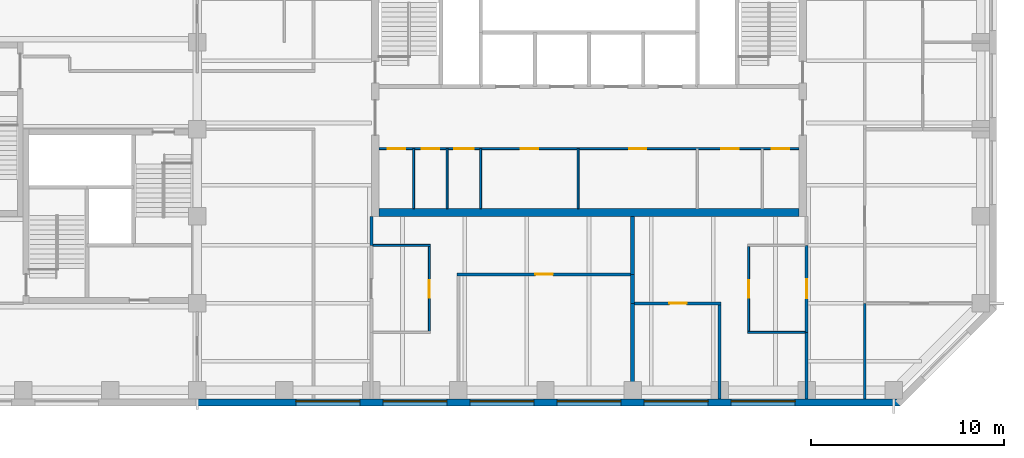
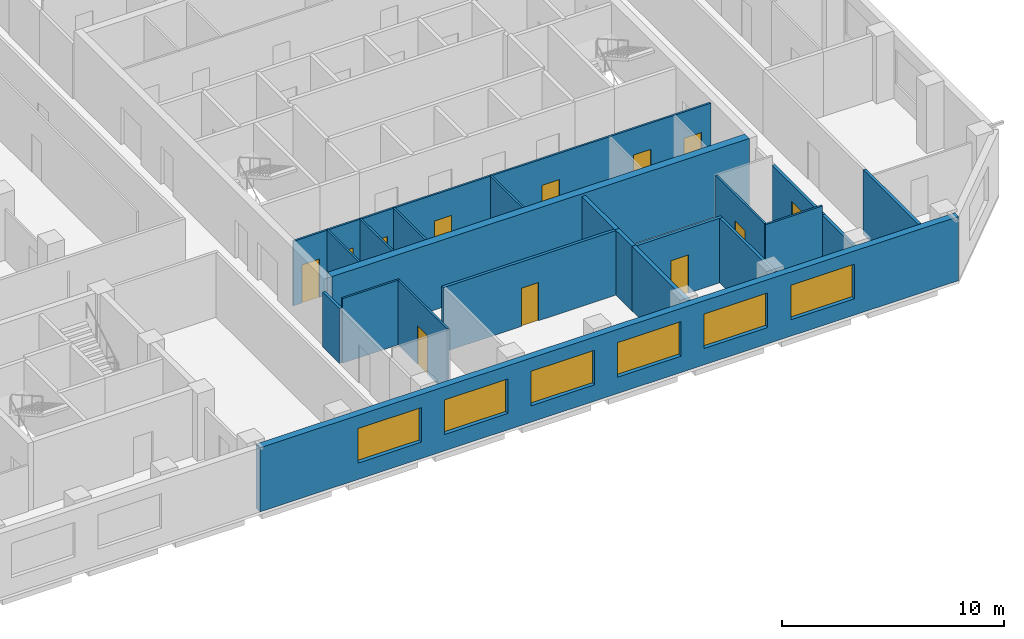
# One storey, part 4 of 9: 21 walls, 12 doors, 6 windows, 18 openings.
"""IFC4 building model written with IfcOpenShell, lengths in metres."""

from ifc_helpers import new_model, si_unit, direction, frame, frame_2d, origin, place, context, subcontext, project, spatial, rectangle, extrude, material, layer, layer_set, constituent, constituent_set, type_object, element, fill, save


model = new_model("IFC4")

# Units and contexts
model_context = context("Model", 3, precision=1e-05, world=origin(), true_north=direction((0.0, 1.0)))
body_context = subcontext(model_context, "Body", "Model", "MODEL_VIEW")
ifc_project = project(units=[si_unit("LENGTHUNIT", "METRE"), si_unit("AREAUNIT", "SQUARE_METRE"), si_unit("VOLUMEUNIT", "CUBIC_METRE"), si_unit("PLANEANGLEUNIT", "RADIAN"), si_unit("MASSUNIT", "GRAM", prefix="KILO")], contexts=[model_context])

# Site, building, storey
site_placement = place(None, origin())
site = spatial("IfcSite", under=ifc_project, at=site_placement, CompositionType="ELEMENT")
building_placement = place(site_placement, origin())
building = spatial("IfcBuilding", under=site, at=building_placement, Name="Quoin Convention Tower", CompositionType="ELEMENT")
storey_placement = place(building_placement, frame((0.0, 0.0, 215.60009765625)))
storey = spatial("IfcBuildingStorey", under=building, at=storey_placement, Name="L56", CompositionType="ELEMENT", Elevation=215.60009765625)

# Wall, opening, door
ifc_material_1 = material(Name="Plasterboard")
ifc_layer_1 = layer(ifc_material_1, 0.012451171875, Name="Finish")
ifc_material_2 = material(Name="Steel stud framing", Category="steel")
ifc_layer_2 = layer(ifc_material_2, 0.125, Name="Structure")
ifc_layer_3 = layer(ifc_material_1, 0.012451171875, Name="Finish")
ifc_layer_set_1 = layer_set([ifc_layer_1, ifc_layer_2, ifc_layer_3], Name="Steel stud framing")
wall_type_1 = type_object("IfcWallType", Name="Acoustic partition 150", PredefinedType="PARTITIONING", material=ifc_layer_set_1)
wall_1_placement = place(storey_placement, frame((58.60009765625, 45.0, 0.0), z_axis=(0.0, 0.0, 1.0), x_axis=(1.0, 0.0, 0.0)))
wall_1 = element("IfcWall", 1, at=wall_1_placement, inside=storey, type_object=wall_type_1, Name="pw-L56-005", PredefinedType="PARTITIONING", context=body_context, shape_type="SweptSolid", body=[
    extrude(rectangle(XDim=4.474853515625, YDim=0.14990234375, at=frame_2d((2.2373046875, 0.0))), origin(), (0.0, 0.0, 1.0), 3.5498046875),
])
opening_1_placement = place(wall_1_placement, frame((1.800048828125, 0.0, 0.0)))
opening_1 = element("IfcOpeningElement", 2, at=opening_1_placement, cuts=wall_1, Name="Opening DOH9-01", PredefinedType="OPENING", context=body_context, shape_type="SweptSolid", body=[
    extrude(rectangle(XDim=0.89990234375, YDim=2.10009765625, at=frame_2d((0.449951171875, 1.050048828125))), frame((0.0, 0.0849609375, 0.0), z_axis=(0.0, -1.0, 0.0), x_axis=(1.0, 0.0, 0.0)), (0.0, 0.0, 1.0), 0.169921875),
])
ifc_material_3 = material(Name="Steel door leaf", Category="steel")
door_type_1 = type_object("IfcDoorType", Name="Office door 900 x 2100", OperationType="SINGLE_SWING_RIGHT", PredefinedType="DOOR", material=ifc_material_3)
door_1_placement = place(opening_1_placement, origin())
door_1 = element("IfcDoor", 3, at=door_1_placement, inside=storey, type_object=door_type_1, Name="dr-L56-12", OperationType="SINGLE_SWING_RIGHT", OverallHeight=2.10009765625, OverallWidth=0.89990234375, PredefinedType="DOOR", context=body_context, shape_type="SweptSolid", body=[
    extrude(rectangle(XDim=0.89990234375, YDim=2.10009765625, at=frame_2d((0.449951171875, 1.050048828125))), frame((0.0, 0.02490234375, 0.0), z_axis=(0.0, -1.0, 0.0), x_axis=(1.0, 0.0, 0.0)), (0.0, 0.0, 1.0), 0.050048828125),
])
fill(opening_1, door_1)

wall_2_placement = place(storey_placement, frame((49.425048828125, 46.5, 0.0), z_axis=(0.0, 0.0, 1.0), x_axis=(1.0, 0.0, 0.0)))
wall_2 = element("IfcWall", 4, at=wall_2_placement, inside=storey, type_object=wall_type_1, Name="pw-L56-008", PredefinedType="PARTITIONING", context=body_context, shape_type="SweptSolid", body=[
    extrude(rectangle(XDim=8.974853515625, YDim=0.14990234375, at=frame_2d((4.4873046875, 0.0))), origin(), (0.0, 0.0, 1.0), 3.5498046875),
])
opening_2_placement = place(wall_2_placement, frame((4.050048828125, 0.0, 0.0)))
opening_2 = element("IfcOpeningElement", 5, at=opening_2_placement, cuts=wall_2, Name="Opening DOH9-03", PredefinedType="OPENING", context=body_context, shape_type="SweptSolid", body=[
    extrude(rectangle(XDim=0.89990234375, YDim=2.10009765625, at=frame_2d((0.449951171875, 1.050048828125))), frame((0.0, 0.0849609375, 0.0), z_axis=(0.0, -1.0, 0.0), x_axis=(1.0, 0.0, 0.0)), (0.0, 0.0, 1.0), 0.169921875),
])
door_2_placement = place(opening_2_placement, frame((0.89990234375, 0.0, 0.0), z_axis=(0.0, 0.0, 1.0), x_axis=(-1.0, 0.0, 0.0)))
door_2 = element("IfcDoor", 6, at=door_2_placement, inside=storey, type_object=door_type_1, Name="dr-L56-09", OperationType="SINGLE_SWING_RIGHT", OverallHeight=2.10009765625, OverallWidth=0.89990234375, PredefinedType="DOOR", context=body_context, shape_type="SweptSolid", body=[
    extrude(rectangle(XDim=0.89990234375, YDim=2.10009765625, at=frame_2d((0.449951171875, 1.050048828125))), frame((0.0, 0.02490234375, 0.0), z_axis=(0.0, -1.0, 0.0), x_axis=(1.0, 0.0, 0.0)), (0.0, 0.0, 1.0), 0.050048828125),
])
fill(opening_2, door_2)

# Wall
wall_3_placement = place(storey_placement, frame((63.0, 40.050048828125, 0.0), z_axis=(0.0, 0.0, 1.0), x_axis=(0.0, 1.0, 0.0)))
element("IfcWall", 7, at=wall_3_placement, inside=storey, type_object=wall_type_1, Name="pw-L56-030", PredefinedType="PARTITIONING", context=body_context, shape_type="SweptSolid", body=[
    extrude(rectangle(XDim=4.875, YDim=0.14990234375, at=frame_2d((2.4375, 0.0))), origin(), (0.0, 0.0, 1.0), 3.5498046875),
])

# Wall, openings, windows
ifc_material_4 = material(Name="Brick masonry", Category="masonry")
ifc_layer_4 = layer(ifc_material_4, 0.35009765625)
ifc_layer_set_2 = layer_set([ifc_layer_4], Name="Brick masonry")
wall_type_2 = type_object("IfcWallType", Name="Brick facade wall", PredefinedType="STANDARD", material=ifc_layer_set_2)
wall_4_placement = place(storey_placement, frame((36.0, 39.875, 0.0), z_axis=(0.0, 0.0, 1.0), x_axis=(1.0, 0.0, 0.0)))
wall_4 = element("IfcWall", 8, at=wall_4_placement, inside=storey, type_object=wall_type_2, Name="fw-L56-36000_40500", PredefinedType="STANDARD", context=body_context, shape_type="SweptSolid", body=[
    extrude(rectangle(XDim=36.331298828125, YDim=0.35009765625, at=frame_2d((18.16552734375, 0.0))), origin(), (0.0, 0.0, 1.0), 3.52490234375),
])
opening_3_placement = place(wall_4_placement, frame((5.10009765625, 0.0, 0.89990234375)))
opening_3 = element("IfcOpeningElement", 9, at=opening_3_placement, cuts=wall_4, Name="Opening W-02", PredefinedType="OPENING", context=body_context, shape_type="SweptSolid", body=[
    extrude(rectangle(XDim=3.300048828125, YDim=1.89990234375, at=frame_2d((1.64990234375, 0.949951171875))), frame((0.0, 0.18505859375, 0.0), z_axis=(0.0, -1.0, 0.0), x_axis=(1.0, 0.0, 0.0)), (0.0, 0.0, 1.0), 0.3701171875),
])
opening_4_placement = place(wall_4_placement, frame((9.60009765625, 0.0, 0.89990234375)))
opening_4 = element("IfcOpeningElement", 10, at=opening_4_placement, cuts=wall_4, Name="Opening W-02", PredefinedType="OPENING", context=body_context, shape_type="SweptSolid", body=[
    extrude(rectangle(XDim=3.300048828125, YDim=1.89990234375, at=frame_2d((1.64990234375, 0.949951171875))), frame((0.0, 0.18505859375, 0.0), z_axis=(0.0, -1.0, 0.0), x_axis=(1.0, 0.0, 0.0)), (0.0, 0.0, 1.0), 0.3701171875),
])
opening_5_placement = place(wall_4_placement, frame((14.10009765625, 0.0, 0.89990234375)))
opening_5 = element("IfcOpeningElement", 11, at=opening_5_placement, cuts=wall_4, Name="Opening W-02", PredefinedType="OPENING", context=body_context, shape_type="SweptSolid", body=[
    extrude(rectangle(XDim=3.300048828125, YDim=1.89990234375, at=frame_2d((1.64990234375, 0.949951171875))), frame((0.0, 0.18505859375, 0.0), z_axis=(0.0, -1.0, 0.0), x_axis=(1.0, 0.0, 0.0)), (0.0, 0.0, 1.0), 0.3701171875),
])
opening_6_placement = place(wall_4_placement, frame((18.60009765625, 0.0, 0.89990234375)))
opening_6 = element("IfcOpeningElement", 12, at=opening_6_placement, cuts=wall_4, Name="Opening W-02", PredefinedType="OPENING", context=body_context, shape_type="SweptSolid", body=[
    extrude(rectangle(XDim=3.300048828125, YDim=1.89990234375, at=frame_2d((1.64990234375, 0.949951171875))), frame((0.0, 0.18505859375, 0.0), z_axis=(0.0, -1.0, 0.0), x_axis=(1.0, 0.0, 0.0)), (0.0, 0.0, 1.0), 0.3701171875),
])
opening_7_placement = place(wall_4_placement, frame((23.10009765625, 0.0, 0.89990234375)))
opening_7 = element("IfcOpeningElement", 13, at=opening_7_placement, cuts=wall_4, Name="Opening W-02", PredefinedType="OPENING", context=body_context, shape_type="SweptSolid", body=[
    extrude(rectangle(XDim=3.300048828125, YDim=1.89990234375, at=frame_2d((1.64990234375, 0.949951171875))), frame((0.0, 0.18505859375, 0.0), z_axis=(0.0, -1.0, 0.0), x_axis=(1.0, 0.0, 0.0)), (0.0, 0.0, 1.0), 0.3701171875),
])
opening_8_placement = place(wall_4_placement, frame((27.60009765625, 0.0, 0.89990234375)))
opening_8 = element("IfcOpeningElement", 14, at=opening_8_placement, cuts=wall_4, Name="Opening W-02", PredefinedType="OPENING", context=body_context, shape_type="SweptSolid", body=[
    extrude(rectangle(XDim=3.300048828125, YDim=1.89990234375, at=frame_2d((1.64990234375, 0.949951171875))), frame((0.0, 0.18505859375, 0.0), z_axis=(0.0, -1.0, 0.0), x_axis=(1.0, 0.0, 0.0)), (0.0, 0.0, 1.0), 0.3701171875),
])
ifc_material_5 = material(Name="Aluminium", Category="aluminium")
ifc_constituent_1 = constituent(ifc_material_5, Name="Frame")
ifc_material_6 = material(Name="Insulated glass", Category="glass")
ifc_constituent_2 = constituent(ifc_material_6, Name="Glazing")
ifc_constituent_set = constituent_set(constituents=[ifc_constituent_1, ifc_constituent_2], Name="Aluminium")
window_type = type_object("IfcWindowType", Name="Office window", PartitioningType="DOUBLE_PANEL_VERTICAL", PredefinedType="WINDOW", material=ifc_constituent_set)
window_1_placement = place(opening_3_placement, origin())
window_1 = element("IfcWindow", 15, at=window_1_placement, inside=storey, type_object=window_type, Name="win-L56-42750_39875", OverallHeight=1.89990234375, OverallWidth=3.300048828125, PartitioningType="SINGLE_PANEL", PredefinedType="WINDOW", context=body_context, shape_type="SweptSolid", body=[
    extrude(rectangle(XDim=3.300048828125, YDim=1.89990234375, at=frame_2d((1.64990234375, 0.949951171875))), frame((0.0, 0.0849609375, 0.0), z_axis=(0.0, -1.0, 0.0), x_axis=(1.0, 0.0, 0.0)), (0.0, 0.0, 1.0), 0.06005859375),
])
fill(opening_3, window_1)
window_2_placement = place(opening_4_placement, origin())
window_2 = element("IfcWindow", 16, at=window_2_placement, inside=storey, type_object=window_type, Name="win-L56-47250_39875", OverallHeight=1.89990234375, OverallWidth=3.300048828125, PartitioningType="SINGLE_PANEL", PredefinedType="WINDOW", context=body_context, shape_type="SweptSolid", body=[
    extrude(rectangle(XDim=3.300048828125, YDim=1.89990234375, at=frame_2d((1.64990234375, 0.949951171875))), frame((0.0, 0.0849609375, 0.0), z_axis=(0.0, -1.0, 0.0), x_axis=(1.0, 0.0, 0.0)), (0.0, 0.0, 1.0), 0.06005859375),
])
fill(opening_4, window_2)
window_3_placement = place(opening_5_placement, origin())
window_3 = element("IfcWindow", 17, at=window_3_placement, inside=storey, type_object=window_type, Name="win-L56-51750_39875", OverallHeight=1.89990234375, OverallWidth=3.300048828125, PartitioningType="SINGLE_PANEL", PredefinedType="WINDOW", context=body_context, shape_type="SweptSolid", body=[
    extrude(rectangle(XDim=3.300048828125, YDim=1.89990234375, at=frame_2d((1.64990234375, 0.949951171875))), frame((0.0, 0.0849609375, 0.0), z_axis=(0.0, -1.0, 0.0), x_axis=(1.0, 0.0, 0.0)), (0.0, 0.0, 1.0), 0.06005859375),
])
fill(opening_5, window_3)
window_4_placement = place(opening_6_placement, origin())
window_4 = element("IfcWindow", 18, at=window_4_placement, inside=storey, type_object=window_type, Name="win-L56-56250_39875", OverallHeight=1.89990234375, OverallWidth=3.300048828125, PartitioningType="SINGLE_PANEL", PredefinedType="WINDOW", context=body_context, shape_type="SweptSolid", body=[
    extrude(rectangle(XDim=3.300048828125, YDim=1.89990234375, at=frame_2d((1.64990234375, 0.949951171875))), frame((0.0, 0.0849609375, 0.0), z_axis=(0.0, -1.0, 0.0), x_axis=(1.0, 0.0, 0.0)), (0.0, 0.0, 1.0), 0.06005859375),
])
fill(opening_6, window_4)
window_5_placement = place(opening_7_placement, origin())
window_5 = element("IfcWindow", 19, at=window_5_placement, inside=storey, type_object=window_type, Name="win-L56-60750_39875", OverallHeight=1.89990234375, OverallWidth=3.300048828125, PartitioningType="SINGLE_PANEL", PredefinedType="WINDOW", context=body_context, shape_type="SweptSolid", body=[
    extrude(rectangle(XDim=3.300048828125, YDim=1.89990234375, at=frame_2d((1.64990234375, 0.949951171875))), frame((0.0, 0.0849609375, 0.0), z_axis=(0.0, -1.0, 0.0), x_axis=(1.0, 0.0, 0.0)), (0.0, 0.0, 1.0), 0.06005859375),
])
fill(opening_7, window_5)
window_6_placement = place(opening_8_placement, origin())
window_6 = element("IfcWindow", 20, at=window_6_placement, inside=storey, type_object=window_type, Name="win-L56-65250_39875", OverallHeight=1.89990234375, OverallWidth=3.300048828125, PartitioningType="SINGLE_PANEL", PredefinedType="WINDOW", context=body_context, shape_type="SweptSolid", body=[
    extrude(rectangle(XDim=3.300048828125, YDim=1.89990234375, at=frame_2d((1.64990234375, 0.949951171875))), frame((0.0, 0.0849609375, 0.0), z_axis=(0.0, -1.0, 0.0), x_axis=(1.0, 0.0, 0.0)), (0.0, 0.0, 1.0), 0.06005859375),
])
fill(opening_8, window_6)

# Wall, openings, doors
ifc_layer_5 = layer(ifc_material_1, 0.012451171875, Name="Finish")
ifc_layer_6 = layer(ifc_material_2, 0.074951171875, Name="Structure")
ifc_layer_7 = layer(ifc_material_1, 0.012451171875, Name="Finish")
ifc_layer_set_3 = layer_set([ifc_layer_5, ifc_layer_6, ifc_layer_7], Name="Steel stud framing")
wall_type_3 = type_object("IfcWallType", Name="Core partition wall", PredefinedType="PARTITIONING", material=ifc_layer_set_3)
wall_5_placement = place(storey_placement, frame((45.39990234375, 53.0, 0.0), z_axis=(0.0, 0.0, 1.0), x_axis=(1.0, 0.0, 0.0)))
wall_5 = element("IfcWall", 21, at=wall_5_placement, inside=storey, type_object=wall_type_3, Name="cr-C1-L56-h3500_400", PredefinedType="PARTITIONING", context=body_context, shape_type="SweptSolid", body=[
    extrude(rectangle(XDim=21.7001953125, YDim=0.10009765625, at=frame_2d((10.85009765625, 0.0))), origin(), (0.0, 0.0, 1.0), 3.5498046875),
])
opening_9_placement = place(wall_5_placement, frame((20.304931640625, 0.0, 0.0)))
opening_9 = element("IfcOpeningElement", 22, at=opening_9_placement, cuts=wall_5, Name="Opening DCV1-36", PredefinedType="OPENING", context=body_context, shape_type="SweptSolid", body=[
    extrude(rectangle(XDim=0.89990234375, YDim=2.10009765625, at=frame_2d((0.449951171875, 1.050048828125))), frame((0.0, 0.06005859375, 0.0), z_axis=(0.0, -1.0, 0.0), x_axis=(1.0, 0.0, 0.0)), (0.0, 0.0, 1.0), 0.1201171875),
])
opening_10_placement = place(wall_5_placement, frame((17.679931640625, 0.0, 0.0)))
opening_10 = element("IfcOpeningElement", 23, at=opening_10_placement, cuts=wall_5, Name="Opening DCV1-35", PredefinedType="OPENING", context=body_context, shape_type="SweptSolid", body=[
    extrude(rectangle(XDim=0.89990234375, YDim=2.10009765625, at=frame_2d((0.449951171875, 1.050048828125))), frame((0.0, 0.06005859375, 0.0), z_axis=(0.0, -1.0, 0.0), x_axis=(1.0, 0.0, 0.0)), (0.0, 0.0, 1.0), 0.1201171875),
])
opening_11_placement = place(wall_5_placement, frame((0.4423828125, 0.0, 0.0)))
opening_11 = element("IfcOpeningElement", 24, at=opening_11_placement, cuts=wall_5, Name="Opening DCV1-27", PredefinedType="OPENING", context=body_context, shape_type="SweptSolid", body=[
    extrude(rectangle(XDim=0.89990234375, YDim=2.10009765625, at=frame_2d((0.449951171875, 1.050048828125))), frame((0.0, 0.06005859375, 0.0), z_axis=(0.0, -1.0, 0.0), x_axis=(1.0, 0.0, 0.0)), (0.0, 0.0, 1.0), 0.1201171875),
])
opening_12_placement = place(wall_5_placement, frame((2.201416015625, 0.0, 0.0)))
opening_12 = element("IfcOpeningElement", 25, at=opening_12_placement, cuts=wall_5, Name="Opening DCV1-28", PredefinedType="OPENING", context=body_context, shape_type="SweptSolid", body=[
    extrude(rectangle(XDim=0.89990234375, YDim=2.10009765625, at=frame_2d((0.449951171875, 1.050048828125))), frame((0.0, 0.06005859375, 0.0), z_axis=(0.0, -1.0, 0.0), x_axis=(1.0, 0.0, 0.0)), (0.0, 0.0, 1.0), 0.1201171875),
])
opening_13_placement = place(wall_5_placement, frame((3.8837890625, 0.0, 0.0)))
opening_13 = element("IfcOpeningElement", 26, at=opening_13_placement, cuts=wall_5, Name="Opening DCV1-29", PredefinedType="OPENING", context=body_context, shape_type="SweptSolid", body=[
    extrude(rectangle(XDim=1.0, YDim=2.10009765625, at=frame_2d((0.5, 1.050048828125))), frame((0.0, 0.06005859375, 0.0), z_axis=(0.0, -1.0, 0.0), x_axis=(1.0, 0.0, 0.0)), (0.0, 0.0, 1.0), 0.1201171875),
])
opening_14_placement = place(wall_5_placement, frame((7.320068359375, 0.0, 0.0)))
opening_14 = element("IfcOpeningElement", 27, at=opening_14_placement, cuts=wall_5, Name="Opening DCV1-31", PredefinedType="OPENING", context=body_context, shape_type="SweptSolid", body=[
    extrude(rectangle(XDim=0.89990234375, YDim=2.10009765625, at=frame_2d((0.449951171875, 1.050048828125))), frame((0.0, 0.06005859375, 0.0), z_axis=(0.0, -1.0, 0.0), x_axis=(1.0, 0.0, 0.0)), (0.0, 0.0, 1.0), 0.1201171875),
])
opening_15_placement = place(wall_5_placement, frame((12.919921875, 0.0, 0.0)))
opening_15 = element("IfcOpeningElement", 28, at=opening_15_placement, cuts=wall_5, Name="Opening DCV1-33", PredefinedType="OPENING", context=body_context, shape_type="SweptSolid", body=[
    extrude(rectangle(XDim=0.89990234375, YDim=2.10009765625, at=frame_2d((0.449951171875, 1.050048828125))), frame((0.0, 0.06005859375, 0.0), z_axis=(0.0, -1.0, 0.0), x_axis=(1.0, 0.0, 0.0)), (0.0, 0.0, 1.0), 0.1201171875),
])
door_type_2 = type_object("IfcDoorType", Name="Core room door 1000 x 2100", OperationType="SINGLE_SWING_LEFT", PredefinedType="DOOR", material=ifc_material_3)
door_3_placement = place(opening_13_placement, frame((1.0, 0.0, 0.0), z_axis=(0.0, 0.0, 1.0), x_axis=(-1.0, 0.0, 0.0)))
door_3 = element("IfcDoor", 29, at=door_3_placement, inside=storey, type_object=door_type_2, Name="cd-C1-L56-CSW2-lobA-CD5614", OperationType="SINGLE_SWING_LEFT", OverallHeight=2.10009765625, OverallWidth=1.0, PredefinedType="DOOR", context=body_context, shape_type="SweptSolid", body=[
    extrude(rectangle(XDim=1.0, YDim=2.10009765625, at=frame_2d((0.5, 1.050048828125))), frame((0.0, 0.02490234375, 0.0), z_axis=(0.0, -1.0, 0.0), x_axis=(1.0, 0.0, 0.0)), (0.0, 0.0, 1.0), 0.050048828125),
])
fill(opening_13, door_3)
door_type_3 = type_object("IfcDoorType", Name="Core room door 900 x 2100", OperationType="SINGLE_SWING_LEFT", PredefinedType="DOOR", material=ifc_material_3)
door_4_placement = place(opening_9_placement, frame((0.89990234375, 0.0, 0.0), z_axis=(0.0, 0.0, 1.0), x_axis=(-1.0, 0.0, 0.0)))
door_4 = element("IfcDoor", 30, at=door_4_placement, inside=storey, type_object=door_type_3, Name="cd-C1-L56-CSE0-lobA-CD5610", OperationType="SINGLE_SWING_LEFT", OverallHeight=2.10009765625, OverallWidth=0.89990234375, PredefinedType="DOOR", context=body_context, shape_type="SweptSolid", body=[
    extrude(rectangle(XDim=0.89990234375, YDim=2.10009765625, at=frame_2d((0.449951171875, 1.050048828125))), frame((0.0, 0.02490234375, 0.0), z_axis=(0.0, -1.0, 0.0), x_axis=(1.0, 0.0, 0.0)), (0.0, 0.0, 1.0), 0.050048828125),
])
fill(opening_9, door_4)
door_5_placement = place(opening_10_placement, frame((0.89990234375, 0.0, 0.0), z_axis=(0.0, 0.0, 1.0), x_axis=(-1.0, 0.0, 0.0)))
door_5 = element("IfcDoor", 31, at=door_5_placement, inside=storey, type_object=door_type_3, Name="cd-C1-L56-CSE1-lobA-CD5611", OperationType="SINGLE_SWING_LEFT", OverallHeight=2.10009765625, OverallWidth=0.89990234375, PredefinedType="DOOR", context=body_context, shape_type="SweptSolid", body=[
    extrude(rectangle(XDim=0.89990234375, YDim=2.10009765625, at=frame_2d((0.449951171875, 1.050048828125))), frame((0.0, 0.02490234375, 0.0), z_axis=(0.0, -1.0, 0.0), x_axis=(1.0, 0.0, 0.0)), (0.0, 0.0, 1.0), 0.050048828125),
])
fill(opening_10, door_5)
door_6_placement = place(opening_11_placement, frame((0.89990234375, 0.0, 0.0), z_axis=(0.0, 0.0, 1.0), x_axis=(-1.0, 0.0, 0.0)))
door_6 = element("IfcDoor", 32, at=door_6_placement, inside=storey, type_object=door_type_3, Name="cd-C1-L56-CSW0-lobA-CD5612", OperationType="SINGLE_SWING_LEFT", OverallHeight=2.10009765625, OverallWidth=0.89990234375, PredefinedType="DOOR", context=body_context, shape_type="SweptSolid", body=[
    extrude(rectangle(XDim=0.89990234375, YDim=2.10009765625, at=frame_2d((0.449951171875, 1.050048828125))), frame((0.0, 0.02490234375, 0.0), z_axis=(0.0, -1.0, 0.0), x_axis=(1.0, 0.0, 0.0)), (0.0, 0.0, 1.0), 0.050048828125),
])
fill(opening_11, door_6)
door_7_placement = place(opening_12_placement, frame((0.89990234375, 0.0, 0.0), z_axis=(0.0, 0.0, 1.0), x_axis=(-1.0, 0.0, 0.0)))
door_7 = element("IfcDoor", 33, at=door_7_placement, inside=storey, type_object=door_type_3, Name="cd-C1-L56-CSW1-lobA-CD5613", OperationType="SINGLE_SWING_LEFT", OverallHeight=2.10009765625, OverallWidth=0.89990234375, PredefinedType="DOOR", context=body_context, shape_type="SweptSolid", body=[
    extrude(rectangle(XDim=0.89990234375, YDim=2.10009765625, at=frame_2d((0.449951171875, 1.050048828125))), frame((0.0, 0.02490234375, 0.0), z_axis=(0.0, -1.0, 0.0), x_axis=(1.0, 0.0, 0.0)), (0.0, 0.0, 1.0), 0.050048828125),
])
fill(opening_12, door_7)
door_8_placement = place(opening_14_placement, frame((0.89990234375, 0.0, 0.0), z_axis=(0.0, 0.0, 1.0), x_axis=(-1.0, 0.0, 0.0)))
door_8 = element("IfcDoor", 34, at=door_8_placement, inside=storey, type_object=door_type_3, Name="cd-C1-L56-F10-lobA-CD5615", OperationType="SINGLE_SWING_LEFT", OverallHeight=2.10009765625, OverallWidth=0.89990234375, PredefinedType="DOOR", context=body_context, shape_type="SweptSolid", body=[
    extrude(rectangle(XDim=0.89990234375, YDim=2.10009765625, at=frame_2d((0.449951171875, 1.050048828125))), frame((0.0, 0.02490234375, 0.0), z_axis=(0.0, -1.0, 0.0), x_axis=(1.0, 0.0, 0.0)), (0.0, 0.0, 1.0), 0.050048828125),
])
fill(opening_14, door_8)
door_9_placement = place(opening_15_placement, frame((0.89990234375, 0.0, 0.0), z_axis=(0.0, 0.0, 1.0), x_axis=(-1.0, 0.0, 0.0)))
door_9 = element("IfcDoor", 35, at=door_9_placement, inside=storey, type_object=door_type_3, Name="cd-C1-L56-F11-lobA-CD5616", OperationType="SINGLE_SWING_LEFT", OverallHeight=2.10009765625, OverallWidth=0.89990234375, PredefinedType="DOOR", context=body_context, shape_type="SweptSolid", body=[
    extrude(rectangle(XDim=0.89990234375, YDim=2.10009765625, at=frame_2d((0.449951171875, 1.050048828125))), frame((0.0, 0.02490234375, 0.0), z_axis=(0.0, -1.0, 0.0), x_axis=(1.0, 0.0, 0.0)), (0.0, 0.0, 1.0), 0.050048828125),
])
fill(opening_15, door_9)

# Walls
for number, where, z_axis, x_axis, name in (
    (36, (47.18505859375, 49.89990234375, 0.0), (0.0, 0.0, 1.0), (0.0, 1.0, 0.0), "cr-C1-L56-v2185_400"),
    (37, (48.91748046875, 49.89990234375, 0.0), (0.0, 0.0, 1.0), (0.0, 1.0, 0.0), "cr-C1-L56-v3918_400"),
    (38, (50.64990234375, 49.89990234375, 0.0), (0.0, 0.0, 1.0), (0.0, 1.0, 0.0), "cr-C1-L56-v5650_400"),
    (39, (55.68994140625, 49.89990234375, 0.0), (0.0, 0.0, 1.0), (0.0, 1.0, 0.0), "cr-C1-L56-v10690_400"),
):
    element("IfcWall", number, at=place(storey_placement, frame(where, z_axis=z_axis, x_axis=x_axis)), inside=storey, type_object=wall_type_3, Name=name, PredefinedType="PARTITIONING", context=body_context, shape_type="SweptSolid", body=[
        extrude(rectangle(XDim=3.10009765625, YDim=0.10009765625, at=frame_2d((1.550048828125, 0.0))), origin(), (0.0, 0.0, 1.0), 3.5498046875),
    ])
ifc_layer_8 = layer(ifc_material_1, 0.012451171875, Name="Finish")
ifc_layer_9 = layer(ifc_material_2, 0.125, Name="Structure")
ifc_layer_10 = layer(ifc_material_1, 0.012451171875, Name="Finish")
ifc_layer_set_4 = layer_set([ifc_layer_8, ifc_layer_9, ifc_layer_10], Name="Steel stud framing")
wall_type_4 = type_object("IfcWallType", Name="Corridor wall 150", PredefinedType="PARTITIONING", material=ifc_layer_set_4)
wall_6_placement = place(storey_placement, frame((70.5, 40.050048828125, 0.0), z_axis=(0.0, 0.0, 1.0), x_axis=(0.0, 1.0, 0.0)))
element("IfcWall", 40, at=wall_6_placement, inside=storey, type_object=wall_type_4, Name="pw-L56-032", PredefinedType="PARTITIONING", context=body_context, shape_type="SweptSolid", body=[
    extrude(rectangle(XDim=4.949951171875, YDim=0.14990234375, at=frame_2d((2.47509765625, 0.0))), origin(), (0.0, 0.0, 1.0), 3.5498046875),
])
ifc_layer_11 = layer(ifc_material_1, 0.012451171875, Name="Finish")
ifc_layer_12 = layer(ifc_material_2, 0.125, Name="Structure")
ifc_layer_13 = layer(ifc_material_1, 0.012451171875, Name="Finish")
ifc_layer_set_5 = layer_set([ifc_layer_11, ifc_layer_12, ifc_layer_13], Name="Steel stud framing")
wall_type_5 = type_object("IfcWallType", Name="Corridor wall 150 under beam 528", PredefinedType="PARTITIONING", material=ifc_layer_set_5)
wall_7_placement = place(storey_placement, frame((67.5, 40.050048828125, 0.0), z_axis=(0.0, 0.0, 1.0), x_axis=(0.0, 1.0, 0.0)))
element("IfcWall", 41, at=wall_7_placement, inside=storey, type_object=wall_type_5, Name="pw-L56-031", PredefinedType="PARTITIONING", context=body_context, shape_type="SweptSolid", body=[
    extrude(rectangle(XDim=3.449951171875, YDim=0.14990234375, at=frame_2d((1.72509765625, 0.0))), origin(), (0.0, 0.0, 1.0), 3.02197265625),
])

# Wall, opening, door
wall_8_placement = place(storey_placement, frame((67.5, 43.5, 0.0), z_axis=(0.0, 0.0, 1.0), x_axis=(0.0, 1.0, 0.0)))
wall_8 = element("IfcWall", 42, at=wall_8_placement, inside=storey, type_object=wall_type_5, Name="pw-L56-035", PredefinedType="PARTITIONING", context=body_context, shape_type="SweptSolid", body=[
    extrude(rectangle(XDim=4.5, YDim=0.14990234375, at=frame_2d((2.25, 0.0))), origin(), (0.0, 0.0, 1.0), 3.02197265625),
])
opening_16_placement = place(wall_8_placement, frame((1.75, 0.0, 0.0)))
opening_16 = element("IfcOpeningElement", 43, at=opening_16_placement, cuts=wall_8, Name="Opening DOH9-11", PredefinedType="OPENING", context=body_context, shape_type="SweptSolid", body=[
    extrude(rectangle(XDim=1.0, YDim=2.10009765625, at=frame_2d((0.5, 1.050048828125))), frame((0.0, 0.0849609375, 0.0), z_axis=(0.0, -1.0, 0.0), x_axis=(1.0, 0.0, 0.0)), (0.0, 0.0, 1.0), 0.169921875),
])
door_type_4 = type_object("IfcDoorType", Name="Tenancy entrance door 1000 x 2100", OperationType="DOUBLE_DOOR_SINGLE_SWING", PredefinedType="DOOR", material=ifc_material_3)
door_10_placement = place(opening_16_placement, frame((1.0, 0.0, 0.0), z_axis=(0.0, 0.0, 1.0), x_axis=(-1.0, 0.0, 0.0)))
door_10 = element("IfcDoor", 44, at=door_10_placement, inside=storey, type_object=door_type_4, Name="dr-L56-10", OperationType="DOUBLE_DOOR_SINGLE_SWING", OverallHeight=2.10009765625, OverallWidth=1.0, PredefinedType="DOOR", context=body_context, shape_type="SweptSolid", body=[
    extrude(rectangle(XDim=1.0, YDim=2.10009765625, at=frame_2d((0.5, 1.050048828125))), frame((0.0, 0.02490234375, 0.0), z_axis=(0.0, -1.0, 0.0), x_axis=(1.0, 0.0, 0.0)), (0.0, 0.0, 1.0), 0.050048828125),
])
fill(opening_16, door_10)

# Walls
wall_9_placement = place(storey_placement, frame((45.0, 48.0, 0.0), z_axis=(0.0, 0.0, 1.0), x_axis=(0.0, 1.0, 0.0)))
element("IfcWall", 45, at=wall_9_placement, inside=storey, type_object=wall_type_5, Name="pw-L56-045", PredefinedType="PARTITIONING", context=body_context, shape_type="SweptSolid", body=[
    extrude(rectangle(XDim=1.5, YDim=0.14990234375, at=frame_2d((0.75, 0.0))), origin(), (0.0, 0.0, 1.0), 3.02197265625),
])
ifc_material_7 = material(Name="Concrete C50", Category="concrete")
ifc_layer_14 = layer(ifc_material_7, 0.39990234375)
ifc_layer_set_6 = layer_set([ifc_layer_14], Name="Concrete C50")
wall_type_6 = type_object("IfcWallType", Name="RC CORE WALL 400 C50", PredefinedType="SHEAR", material=ifc_layer_set_6)
wall_10_placement = place(storey_placement, frame((45.39990234375, 49.699951171875, 0.0), z_axis=(0.0, 0.0, 1.0), x_axis=(1.0, 0.0, 0.0)))
element("IfcWall", 46, at=wall_10_placement, inside=storey, type_object=wall_type_6, Name="cwl-C1-L56-S", PredefinedType="SHEAR", context=body_context, shape_type="SweptSolid", body=[
    extrude(rectangle(XDim=21.7001953125, YDim=0.39990234375, at=frame_2d((10.85009765625, 0.0))), origin(), (0.0, 0.0, 1.0), 3.699951171875),
])
ifc_layer_15 = layer(ifc_material_1, 0.012451171875, Name="Finish")
ifc_layer_16 = layer(ifc_material_2, 0.074951171875, Name="Structure")
ifc_layer_17 = layer(ifc_material_1, 0.012451171875, Name="Finish")
ifc_layer_set_7 = layer_set([ifc_layer_15, ifc_layer_16, ifc_layer_17], Name="Steel stud framing")
wall_type_7 = type_object("IfcWallType", Name="Stud partition 100", PredefinedType="PARTITIONING", material=ifc_layer_set_7)
for number, where, z_axis, x_axis, name in (
    (47, (64.449951171875, 43.5, 0.0), (0.0, 0.0, 1.0), (1.0, 0.0, 0.0), "pw-L56-002"),
    (48, (45.074951171875, 48.0, 0.0), (0.0, 0.0, 1.0), (1.0, 0.0, 0.0), "pw-L56-009"),
):
    element("IfcWall", number, at=place(storey_placement, frame(where, z_axis=z_axis, x_axis=x_axis)), inside=storey, type_object=wall_type_7, Name=name, PredefinedType="PARTITIONING", context=body_context, shape_type="SweptSolid", body=[
        extrude(rectangle(XDim=2.97509765625, YDim=0.10009765625, at=frame_2d((1.487548828125, 0.0))), origin(), (0.0, 0.0, 1.0), 3.5498046875),
    ])

# Wall, opening, door
wall_11_placement = place(storey_placement, frame((48.0, 43.550048828125, 0.0), z_axis=(0.0, 0.0, 1.0), x_axis=(0.0, 1.0, 0.0)))
wall_11 = element("IfcWall", 49, at=wall_11_placement, inside=storey, type_object=wall_type_7, Name="pw-L56-036", PredefinedType="PARTITIONING", context=body_context, shape_type="SweptSolid", body=[
    extrude(rectangle(XDim=4.39990234375, YDim=0.10009765625, at=frame_2d((2.199951171875, 0.0))), origin(), (0.0, 0.0, 1.0), 3.5498046875),
])
opening_17_placement = place(wall_11_placement, frame((1.75, 0.0, 0.0)))
opening_17 = element("IfcOpeningElement", 50, at=opening_17_placement, cuts=wall_11, Name="Opening DOH9-12", PredefinedType="OPENING", context=body_context, shape_type="SweptSolid", body=[
    extrude(rectangle(XDim=0.89990234375, YDim=2.10009765625, at=frame_2d((0.449951171875, 1.050048828125))), frame((0.0, 0.06005859375, 0.0), z_axis=(0.0, -1.0, 0.0), x_axis=(1.0, 0.0, 0.0)), (0.0, 0.0, 1.0), 0.1201171875),
])
door_11_placement = place(opening_17_placement, frame((0.89990234375, 0.0, 0.0), z_axis=(0.0, 0.0, 1.0), x_axis=(-1.0, 0.0, 0.0)))
door_11 = element("IfcDoor", 51, at=door_11_placement, inside=storey, type_object=door_type_1, Name="dr-L56-08", OperationType="SINGLE_SWING_LEFT", OverallHeight=2.10009765625, OverallWidth=0.89990234375, PredefinedType="DOOR", context=body_context, shape_type="SweptSolid", body=[
    extrude(rectangle(XDim=0.89990234375, YDim=2.10009765625, at=frame_2d((0.449951171875, 1.050048828125))), frame((0.0, 0.02490234375, 0.0), z_axis=(0.0, -1.0, 0.0), x_axis=(1.0, 0.0, 0.0)), (0.0, 0.0, 1.0), 0.050048828125),
])
fill(opening_17, door_11)

wall_12_placement = place(storey_placement, frame((64.5, 43.550048828125, 0.0), z_axis=(0.0, 0.0, 1.0), x_axis=(0.0, 1.0, 0.0)))
wall_12 = element("IfcWall", 52, at=wall_12_placement, inside=storey, type_object=wall_type_7, Name="pw-L56-037", PredefinedType="PARTITIONING", context=body_context, shape_type="SweptSolid", body=[
    extrude(rectangle(XDim=4.39990234375, YDim=0.10009765625, at=frame_2d((2.199951171875, 0.0))), origin(), (0.0, 0.0, 1.0), 3.5498046875),
])
opening_18_placement = place(wall_12_placement, frame((1.75, 0.0, 0.0)))
opening_18 = element("IfcOpeningElement", 53, at=opening_18_placement, cuts=wall_12, Name="Opening DOH9-13", PredefinedType="OPENING", context=body_context, shape_type="SweptSolid", body=[
    extrude(rectangle(XDim=0.89990234375, YDim=2.10009765625, at=frame_2d((0.449951171875, 1.050048828125))), frame((0.0, 0.06005859375, 0.0), z_axis=(0.0, -1.0, 0.0), x_axis=(1.0, 0.0, 0.0)), (0.0, 0.0, 1.0), 0.1201171875),
])
door_12_placement = place(opening_18_placement, origin())
door_12 = element("IfcDoor", 54, at=door_12_placement, inside=storey, type_object=door_type_1, Name="dr-L56-11", OperationType="SINGLE_SWING_RIGHT", OverallHeight=2.10009765625, OverallWidth=0.89990234375, PredefinedType="DOOR", context=body_context, shape_type="SweptSolid", body=[
    extrude(rectangle(XDim=0.89990234375, YDim=2.10009765625, at=frame_2d((0.449951171875, 1.050048828125))), frame((0.0, 0.02490234375, 0.0), z_axis=(0.0, -1.0, 0.0), x_axis=(1.0, 0.0, 0.0)), (0.0, 0.0, 1.0), 0.050048828125),
])
fill(opening_18, door_12)

# Walls
ifc_layer_18 = layer(ifc_material_1, 0.012451171875, Name="Finish")
ifc_layer_19 = layer(ifc_material_2, 0.175048828125, Name="Structure")
ifc_layer_20 = layer(ifc_material_1, 0.012451171875, Name="Finish")
ifc_layer_set_8 = layer_set([ifc_layer_18, ifc_layer_19, ifc_layer_20], Name="Steel stud framing")
wall_type_8 = type_object("IfcWallType", Name="Tenancy demising wall 200", PredefinedType="PARTITIONING", material=ifc_layer_set_8)
wall_13_placement = place(storey_placement, frame((58.5, 40.050048828125, 0.0), z_axis=(0.0, 0.0, 1.0), x_axis=(0.0, 1.0, 0.0)))
element("IfcWall", 55, at=wall_13_placement, inside=storey, type_object=wall_type_8, Name="pw-L56-029", PredefinedType="PARTITIONING", context=body_context, shape_type="SweptSolid", body=[
    extrude(rectangle(XDim=4.949951171875, YDim=0.199951171875, at=frame_2d((2.47509765625, 0.0))), origin(), (0.0, 0.0, 1.0), 3.5498046875),
])
wall_14_placement = place(storey_placement, frame((58.5, 45.0, 0.0), z_axis=(0.0, 0.0, 1.0), x_axis=(0.0, 1.0, 0.0)))
element("IfcWall", 56, at=wall_14_placement, inside=storey, type_object=wall_type_8, Name="pw-L56-039", PredefinedType="PARTITIONING", context=body_context, shape_type="SweptSolid", body=[
    extrude(rectangle(XDim=1.5, YDim=0.199951171875, at=frame_2d((0.75, 0.0))), origin(), (0.0, 0.0, 1.0), 3.5498046875),
])
wall_15_placement = place(storey_placement, frame((58.5, 46.5, 0.0), z_axis=(0.0, 0.0, 1.0), x_axis=(0.0, 1.0, 0.0)))
element("IfcWall", 57, at=wall_15_placement, inside=storey, type_object=wall_type_8, Name="pw-L56-043", PredefinedType="PARTITIONING", context=body_context, shape_type="SweptSolid", body=[
    extrude(rectangle(XDim=3.0, YDim=0.199951171875, at=frame_2d((1.5, 0.0))), origin(), (0.0, 0.0, 1.0), 3.5498046875),
])

save(model, "model.ifc")
